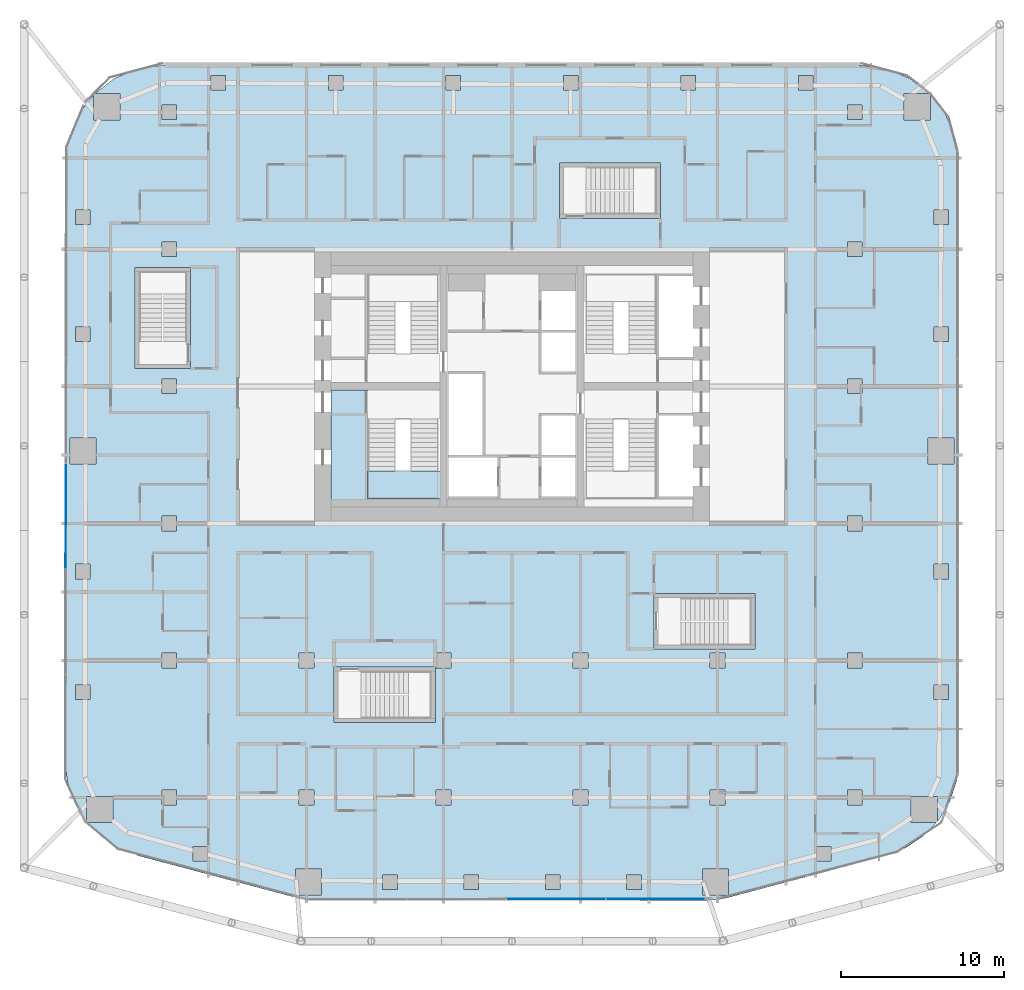
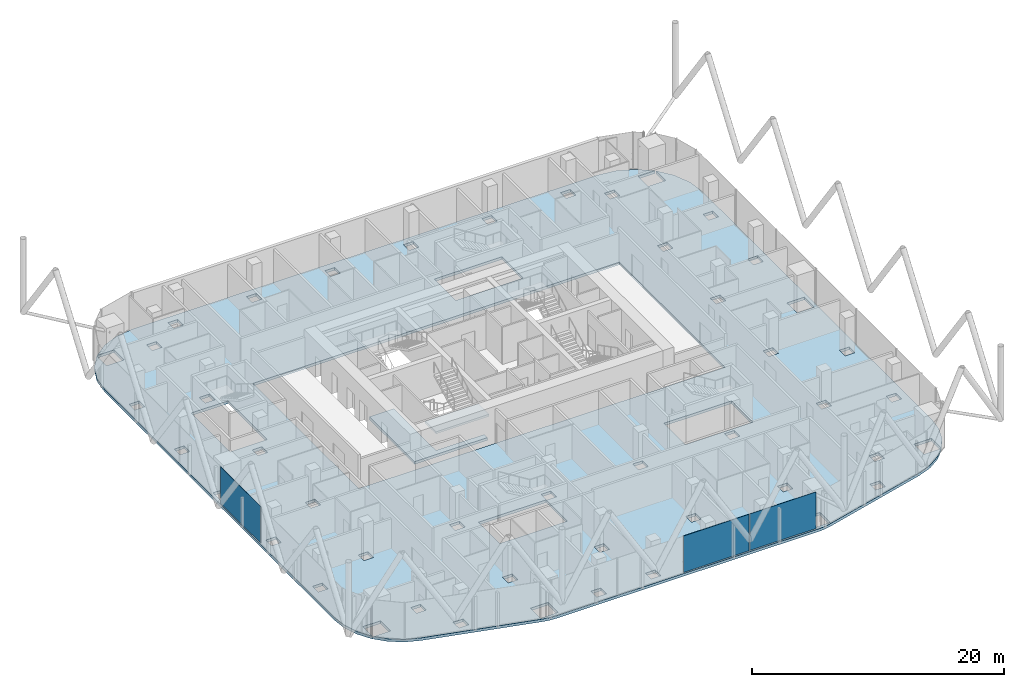
# One storey, part 19 of 33: 3 plates, 3 slabs, 3 elements without a shape of their own.
"""IFC4 building model written with IfcOpenShell, lengths in metres."""

import ifcopenshell
import ifcopenshell.guid

model = None  # the IFC model being written
_history = None  # IfcOwnerHistory: only IFC2X3 demands one
_inside = {}  # id of a spatial element -> (the spatial element, [elements in it])
_under = {}  # id of a project, library or spatial element -> (it, [spatial elements below it])
_declared = {}  # id of a project -> (the project, [libraries it declares])
_typed = {}  # id of a type object -> (the type object, [elements of that type])
_made_of = {}  # id of a material, layer set ... -> (it, [elements and type objects made of it])


def new_model(schema):
    """Start an empty IFC model of exactly this schema.

    Asked for "IFC4X3", IfcOpenShell would pick the latest addendum, in which some entities
    have other attributes; the version numbers below select the first issue.
    IFC2X3 requires an IfcOwnerHistory on every rooted entity: one is made here for all.
    """
    global model, _history
    if schema == "IFC4X3":
        model = ifcopenshell.file(schema_version=(4, 3, 0, 0))
    else:
        model = ifcopenshell.file(schema=schema)
    _inside.clear()
    _under.clear()
    _declared.clear()
    _typed.clear()
    _made_of.clear()
    _history = None
    if model.schema == "IFC2X3":
        org = make("IfcOrganization", Name="unknown")
        user = make(
            "IfcPersonAndOrganization",
            ThePerson=make("IfcPerson", FamilyName="unknown"),
            TheOrganization=org,
        )
        app = make(
            "IfcApplication",
            ApplicationDeveloper=org,
            Version="unknown",
            ApplicationFullName="unknown",
            ApplicationIdentifier="unknown",
        )
        _history = make(
            "IfcOwnerHistory",
            OwningUser=user,
            OwningApplication=app,
            ChangeAction="ADDED",
            CreationDate=0,
        )
    return model


def make(cls, **values):
    """One entity of the class cls with the attributes given. An attribute that is None is left unset."""
    return model.create_entity(
        cls, **{name: value for name, value in values.items() if value is not None}
    )


def rooted(cls, **values):
    """An entity with a GlobalId (a new one), such as an element, a storey or a relation."""
    return make(cls, GlobalId=ifcopenshell.guid.new(), OwnerHistory=_history, **values)


def si_unit(unit_type, name, prefix=None):
    """IfcSIUnit, for example si_unit("LENGTHUNIT", "METRE", prefix="MILLI")."""
    return make("IfcSIUnit", UnitType=unit_type, Prefix=prefix, Name=name)


def assignment(units):
    """IfcUnitAssignment: the units of a project."""
    return None if units is None else make("IfcUnitAssignment", Units=units)


def point(xyz):
    """IfcCartesianPoint."""
    return None if xyz is None else make("IfcCartesianPoint", Coordinates=xyz)


def direction(xyz):
    """IfcDirection."""
    return None if xyz is None else make("IfcDirection", DirectionRatios=xyz)


def frame(location, z_axis=None, x_axis=None):
    """IfcAxis2Placement3D, a coordinate frame: its origin and axes. An axis left out is left unset."""
    return make(
        "IfcAxis2Placement3D",
        Location=point(location),
        Axis=direction(z_axis),
        RefDirection=direction(x_axis),
    )


def frame_2d(location, x_axis=None):
    """IfcAxis2Placement2D, a coordinate frame in the plane: its origin and x axis."""
    return make(
        "IfcAxis2Placement2D", Location=point(location), RefDirection=direction(x_axis)
    )


def origin():
    """The frame at (0, 0, 0) with its axes left unset."""
    return frame((0.0, 0.0, 0.0))


def origin_2d():
    """The frame at (0, 0) in the plane with its x axis left unset."""
    return frame_2d((0.0, 0.0))


def place(relative_to, where):
    """IfcLocalPlacement: puts the frame where relative to a parent placement (None: the world)."""
    return make(
        "IfcLocalPlacement", PlacementRelTo=relative_to, RelativePlacement=where
    )


def context(
    kind, dimensions, precision=None, world=None, true_north=None, identifier=None
):
    """IfcGeometricRepresentationContext, for example the 3D "Model" context."""
    return make(
        "IfcGeometricRepresentationContext",
        ContextIdentifier=identifier,
        ContextType=kind,
        CoordinateSpaceDimension=dimensions,
        Precision=precision,
        WorldCoordinateSystem=world,
        TrueNorth=true_north,
    )


def subcontext(parent, identifier, kind, view, scale=None):
    """IfcGeometricRepresentationSubContext, for example "Body" below "Model"."""
    return make(
        "IfcGeometricRepresentationSubContext",
        ContextIdentifier=identifier,
        ContextType=kind,
        ParentContext=parent,
        TargetScale=scale,
        TargetView=view,
    )


def project(units=None, contexts=None):
    """IfcProject with its units and contexts."""
    return rooted(
        "IfcProject",
        Name="project",
        RepresentationContexts=contexts,
        UnitsInContext=assignment(units),
    )


def spatial(cls, under=None, at=None, **own):
    """A site, building, storey or space (cls), placed at a placement, below another one or the project."""
    s = rooted(cls, ObjectPlacement=at, **own)
    if under is not None:
        _under.setdefault(under.id(), (under, []))[1].append(s)
    return s


def polyline(points):
    """IfcPolyline through the points."""
    return make("IfcPolyline", Points=[point(p) for p in points])


def profile(cls, at=None, kind="AREA", **sizes):
    """A parametric profile (cls). Its sizes go by their IFC names, for example OverallWidth=200.0."""
    return make(cls, ProfileType=kind, Position=at, **sizes)


def rectangle(**sizes):
    """IfcRectangleProfileDef."""
    return profile("IfcRectangleProfileDef", **sizes)


def outline(outer, holes=None, kind="AREA"):
    """IfcArbitraryClosedProfileDef: a profile drawn as a closed curve; with holes, ...WithVoids."""
    if holes is None:
        return make("IfcArbitraryClosedProfileDef", ProfileType=kind, OuterCurve=outer)
    return make(
        "IfcArbitraryProfileDefWithVoids",
        ProfileType=kind,
        OuterCurve=outer,
        InnerCurves=holes,
    )


def extrude(swept, where, along, depth):
    """IfcExtrudedAreaSolid: the profile swept, set in the frame where, extruded along a direction by depth."""
    return make(
        "IfcExtrudedAreaSolid",
        SweptArea=swept,
        Position=where,
        ExtrudedDirection=direction(along),
        Depth=depth,
    )


def shape(context_of_items, identifier, shape_type, items):
    """IfcShapeRepresentation: the items that make up one representation, for example the "Body"."""
    return make(
        "IfcShapeRepresentation",
        ContextOfItems=context_of_items,
        RepresentationIdentifier=identifier,
        RepresentationType=shape_type,
        Items=items,
    )


def material(Name=None, Category=None):
    """IfcMaterial."""
    return make("IfcMaterial", Name=Name, Category=Category)


def layer(
    of_material, thickness, ventilated=None, Name=None, Category=None, Priority=None
):
    """IfcMaterialLayer: one layer of a wall or slab, of a material (None: an air gap)."""
    return make(
        "IfcMaterialLayer",
        Material=of_material,
        LayerThickness=thickness,
        IsVentilated=ventilated,
        Name=Name,
        Category=Category,
        Priority=Priority,
    )


def layer_set(layers, Name=None):
    """IfcMaterialLayerSet."""
    return make("IfcMaterialLayerSet", MaterialLayers=layers, LayerSetName=Name)


def made_of(thing, what):
    """Note that an element or type object is made of a material, layer set ...; save() writes the relation."""
    if what is not None:
        _made_of.setdefault(what.id(), (what, []))[1].append(thing)
    return thing


def type_object(cls, material=None, **own):
    """A type object (cls), such as IfcWallType, which elements share."""
    return made_of(rooted(cls, **own), material)


def element(
    cls,
    number,
    at=None,
    inside=None,
    cuts=None,
    type_object=None,
    material=None,
    context=None,
    identifier="Body",
    shape_type=None,
    held_by="IfcProductDefinitionShape",
    body=None,
    shapes=None,
    **own,
):
    """One element of the class cls, such as IfcWall. Its Tag is "e" and its number.

    at: its placement. inside: the storey or other place that contains it. cuts: it is an
    opening in that element (IfcRelVoidsElement). A single representation is given by context,
    identifier, shape_type and body (its items); several are given by shapes. held_by: the class
    of the entity that holds the representations. save() writes the other relations.
    """
    e = rooted(cls, Tag="e%d" % number, ObjectPlacement=at, **own)
    if body is not None:
        shapes = [shape(context, identifier, shape_type, body)]
    if shapes is not None:
        e.Representation = make(held_by, Representations=shapes)
    if inside is not None:
        _inside.setdefault(inside.id(), (inside, []))[1].append(e)
    if cuts is not None:
        rooted(
            "IfcRelVoidsElement", RelatingBuildingElement=cuts, RelatedOpeningElement=e
        )
    if type_object is not None:
        _typed.setdefault(type_object.id(), (type_object, []))[1].append(e)
    return made_of(e, material)


def aggregate(whole, parts):
    """IfcRelAggregates: a whole, such as a stair, and the parts it consists of."""
    return rooted("IfcRelAggregates", RelatingObject=whole, RelatedObjects=parts)


def save(model, path):
    """Write the relations noted so far, then the file.

    IfcRelAggregates (storeys below a building ...), IfcRelContainedInSpatialStructure (elements
    in a storey), IfcRelDefinesByType, IfcRelAssociatesMaterial and IfcRelDeclares: one each for
    every whole, place, type object, material and project.
    """
    for whole, parts in _under.values():
        aggregate(whole, parts)
    for where, things in _inside.values():
        rooted(
            "IfcRelContainedInSpatialStructure",
            RelatedElements=things,
            RelatingStructure=where,
        )
    for kind, things in _typed.values():
        rooted("IfcRelDefinesByType", RelatedObjects=things, RelatingType=kind)
    for what, things in _made_of.values():
        rooted("IfcRelAssociatesMaterial", RelatedObjects=things, RelatingMaterial=what)
    for by, libraries in _declared.values():
        rooted("IfcRelDeclares", RelatingContext=by, RelatedDefinitions=libraries)
    model.write(path)


model = new_model("IFC4")

# Units and contexts
model_context = context("Model", 3, precision=1e-05, world=origin(), true_north=direction((0.0, 1.0)))
body_context = subcontext(model_context, "Body", "Model", "MODEL_VIEW")
ifc_project = project(units=[si_unit("LENGTHUNIT", "METRE"), si_unit("AREAUNIT", "SQUARE_METRE"), si_unit("VOLUMEUNIT", "CUBIC_METRE"), si_unit("PLANEANGLEUNIT", "RADIAN"), si_unit("MASSUNIT", "GRAM", prefix="KILO")], contexts=[model_context])

# Site, building, storey
site_placement = place(None, origin())
site = spatial("IfcSite", under=ifc_project, at=site_placement, CompositionType="ELEMENT")
building_placement = place(site_placement, origin())
building = spatial("IfcBuilding", under=site, at=building_placement, Name="Marenta Gate Hotel Tower", CompositionType="ELEMENT")
storey_placement = place(building_placement, frame((0.0, 0.0, 122.89990234375)))
storey = spatial("IfcBuildingStorey", under=building, at=storey_placement, Name="L27", CompositionType="ELEMENT", Elevation=122.89990234375)

# Slabs
ifc_material_1 = material(Name="Concrete C35", Category="concrete")
ifc_layer_1 = layer(ifc_material_1, 0.260009765625)
ifc_layer_set_1 = layer_set([ifc_layer_1], Name="Concrete C35")
slab_type_1 = type_object("IfcSlabType", Name="Concrete floor slab 260", PredefinedType="FLOOR", material=ifc_layer_set_1)
slab_1_placement = place(storey_placement, frame((0.0, 0.0, -0.260009765625)))
element("IfcSlab", 1, at=slab_1_placement, inside=storey, type_object=slab_type_1, Name="L27-SL-1", PredefinedType="FLOOR", context=body_context, shape_type="SweptSolid", body=[
    extrude(outline(polyline([(-25.213623046875, -19.1640625), (-26.011474609375, -18.3330078125), (-24.462890625, -18.3330078125), (-24.462890625, -16.73291015625), (-26.06298828125, -16.73291015625), (-26.06298828125, -18.279296875), (-26.13525390625, -18.2041015625), (-26.826904296875, -17.06689453125), (-27.25537109375, -15.80712890625), (-27.39990234375, -14.48974609375), (-27.39990234375, 22.006591796875), (-27.193115234375, 23.5791015625), (-26.58349609375, 25.050537109375), (-25.635498046875, 26.285888671875), (-25.635498046875, 24.735595703125), (-24.035400390625, 24.735595703125), (-24.035400390625, 26.33544921875), (-25.585693359375, 26.33544921875), (-24.350341796875, 27.283447265625), (-22.87890625, 27.89306640625), (-21.306640625, 28.10009765625), (21.306640625, 28.10009765625), (22.87890625, 27.89306640625), (24.350341796875, 27.283447265625), (25.585693359375, 26.33544921875), (24.035400390625, 26.33544921875), (24.035400390625, 24.735595703125), (25.635498046875, 24.735595703125), (25.635498046875, 26.285888671875), (26.58349609375, 25.050537109375), (27.193115234375, 23.5791015625), (27.39990234375, 22.006591796875), (27.39990234375, -14.48974609375), (27.25537109375, -15.80712890625), (26.826904296875, -17.06689453125), (26.13525390625, -18.2041015625), (26.06298828125, -18.279296875), (26.06298828125, -16.73291015625), (24.462890625, -16.73291015625), (24.462890625, -18.3330078125), (26.011474609375, -18.3330078125), (25.213623046875, -19.1640625), (24.105712890625, -19.9013671875), (22.86962890625, -20.37890625), (13.126708984375, -22.963623046875), (12.608642578125, -23.065673828125), (12.08154296875, -23.10009765625), (-12.08154296875, -23.10009765625), (-12.608642578125, -23.065673828125), (-13.126708984375, -22.963623046875), (-22.86962890625, -20.37890625), (-24.105712890625, -19.9013671875), (-25.213623046875, -19.1640625)]), holes=[polyline([(-16.800048828125, 0.0), (16.800048828125, 0.0), (16.800048828125, 16.800048828125), (-16.800048828125, 16.800048828125), (-16.800048828125, 0.0)]), polyline([(-18.65673828125, -19.7890625), (-19.556884765625, -19.7890625), (-19.556884765625, -20.689208984375), (-18.65673828125, -20.689208984375), (-18.65673828125, -19.7890625)]), polyline([(-20.550048828125, -17.25), (-20.550048828125, -16.35009765625), (-21.449951171875, -16.35009765625), (-21.449951171875, -17.25), (-20.550048828125, -17.25)]), polyline([(-12.14990234375, -16.35009765625), (-13.050048828125, -16.35009765625), (-13.050048828125, -17.25), (-12.14990234375, -17.25), (-12.14990234375, -16.35009765625)]), polyline([(-25.85009765625, -10.802001953125), (-25.85009765625, -9.90185546875), (-26.75, -9.90185546875), (-26.75, -10.802001953125), (-25.85009765625, -10.802001953125)]), polyline([(-20.550048828125, -8.85009765625), (-20.550048828125, -7.949951171875), (-21.449951171875, -7.949951171875), (-21.449951171875, -8.85009765625), (-20.550048828125, -8.85009765625)]), polyline([(-25.85009765625, -2.5009765625), (-26.75, -2.5009765625), (-26.75, -3.40087890625), (-25.85009765625, -3.40087890625), (-25.85009765625, -2.5009765625)]), polyline([(-20.550048828125, -0.449951171875), (-20.550048828125, 0.449951171875), (-21.449951171875, 0.449951171875), (-21.449951171875, -0.449951171875), (-20.550048828125, -0.449951171875)]), polyline([(-25.5, 3.64990234375), (-25.5, 5.25), (-27.10009765625, 5.25), (-27.10009765625, 3.64990234375), (-25.5, 3.64990234375)]), polyline([(-20.550048828125, 8.85009765625), (-21.449951171875, 8.85009765625), (-21.449951171875, 7.949951171875), (-20.550048828125, 7.949951171875), (-20.550048828125, 8.85009765625)]), polyline([(-25.85009765625, 11.1533203125), (-25.85009765625, 12.05322265625), (-26.75, 12.05322265625), (-26.75, 11.1533203125), (-25.85009765625, 11.1533203125)]), polyline([(-20.550048828125, 16.35009765625), (-20.550048828125, 17.25), (-21.449951171875, 17.25), (-21.449951171875, 16.35009765625), (-20.550048828125, 16.35009765625)]), polyline([(-25.85009765625, 19.206298828125), (-26.75, 19.206298828125), (-26.75, 18.306396484375), (-25.85009765625, 18.306396484375), (-25.85009765625, 19.206298828125)]), polyline([(-20.550048828125, 24.75), (-20.550048828125, 25.64990234375), (-21.449951171875, 25.64990234375), (-21.449951171875, 24.75), (-20.550048828125, 24.75)]), polyline([(-17.556884765625, 27.449951171875), (-18.456787109375, 27.449951171875), (-18.456787109375, 26.550048828125), (-17.556884765625, 26.550048828125), (-17.556884765625, 27.449951171875)]), polyline([(-7.030029296875, -22.449951171875), (-7.030029296875, -21.550048828125), (-7.93017578125, -21.550048828125), (-7.93017578125, -22.449951171875), (-7.030029296875, -22.449951171875)]), polyline([(-2.04345703125, -22.449951171875), (-2.04345703125, -21.550048828125), (-2.943359375, -21.550048828125), (-2.943359375, -22.449951171875), (-2.04345703125, -22.449951171875)]), polyline([(2.943359375, -21.550048828125), (2.04345703125, -21.550048828125), (2.04345703125, -22.449951171875), (2.943359375, -22.449951171875), (2.943359375, -21.550048828125)]), polyline([(7.93017578125, -22.449951171875), (7.93017578125, -21.550048828125), (7.030029296875, -21.550048828125), (7.030029296875, -22.449951171875), (7.93017578125, -22.449951171875)]), polyline([(-11.666259765625, -22.77490234375), (-11.666259765625, -21.1748046875), (-13.266357421875, -21.1748046875), (-13.266357421875, -22.77490234375), (-11.666259765625, -22.77490234375)]), polyline([(13.266357421875, -21.1748046875), (11.666259765625, -21.1748046875), (11.666259765625, -22.77490234375), (13.266357421875, -22.77490234375), (13.266357421875, -21.1748046875)]), polyline([(-3.75, -17.25), (-3.75, -16.35009765625), (-4.64990234375, -16.35009765625), (-4.64990234375, -17.25), (-3.75, -17.25)]), polyline([(4.64990234375, -17.25), (4.64990234375, -16.35009765625), (3.75, -16.35009765625), (3.75, -17.25), (4.64990234375, -17.25)]), polyline([(13.050048828125, -16.35009765625), (12.14990234375, -16.35009765625), (12.14990234375, -17.25), (13.050048828125, -17.25), (13.050048828125, -16.35009765625)]), polyline([(-12.14990234375, -8.85009765625), (-12.14990234375, -7.949951171875), (-13.050048828125, -7.949951171875), (-13.050048828125, -8.85009765625), (-12.14990234375, -8.85009765625)]), polyline([(-3.75, -8.85009765625), (-3.75, -7.949951171875), (-4.64990234375, -7.949951171875), (-4.64990234375, -8.85009765625), (-3.75, -8.85009765625)]), polyline([(4.64990234375, -7.949951171875), (3.75, -7.949951171875), (3.75, -8.85009765625), (4.64990234375, -8.85009765625), (4.64990234375, -7.949951171875)]), polyline([(-10.35400390625, 26.550048828125), (-10.35400390625, 27.449951171875), (-11.254150390625, 27.449951171875), (-11.254150390625, 26.550048828125), (-10.35400390625, 26.550048828125)]), polyline([(-3.1513671875, 26.550048828125), (-3.1513671875, 27.449951171875), (-4.051513671875, 27.449951171875), (-4.051513671875, 26.550048828125), (-3.1513671875, 26.550048828125)]), polyline([(4.051513671875, 27.449951171875), (3.1513671875, 27.449951171875), (3.1513671875, 26.550048828125), (4.051513671875, 26.550048828125), (4.051513671875, 27.449951171875)]), polyline([(11.254150390625, 26.550048828125), (11.254150390625, 27.449951171875), (10.35400390625, 27.449951171875), (10.35400390625, 26.550048828125), (11.254150390625, 26.550048828125)]), polyline([(19.556884765625, -20.689208984375), (19.556884765625, -19.7890625), (18.65673828125, -19.7890625), (18.65673828125, -20.689208984375), (19.556884765625, -20.689208984375)]), polyline([(21.449951171875, -17.25), (21.449951171875, -16.35009765625), (20.550048828125, -16.35009765625), (20.550048828125, -17.25), (21.449951171875, -17.25)]), polyline([(26.75, -10.802001953125), (26.75, -9.90185546875), (25.85009765625, -9.90185546875), (25.85009765625, -10.802001953125), (26.75, -10.802001953125)]), polyline([(13.050048828125, -7.949951171875), (12.14990234375, -7.949951171875), (12.14990234375, -8.85009765625), (13.050048828125, -8.85009765625), (13.050048828125, -7.949951171875)]), polyline([(21.449951171875, -8.85009765625), (21.449951171875, -7.949951171875), (20.550048828125, -7.949951171875), (20.550048828125, -8.85009765625), (21.449951171875, -8.85009765625)]), polyline([(26.75, -3.40087890625), (26.75, -2.5009765625), (25.85009765625, -2.5009765625), (25.85009765625, -3.40087890625), (26.75, -3.40087890625)]), polyline([(21.449951171875, 0.449951171875), (20.550048828125, 0.449951171875), (20.550048828125, -0.449951171875), (21.449951171875, -0.449951171875), (21.449951171875, 0.449951171875)]), polyline([(27.10009765625, 3.64990234375), (27.10009765625, 5.25), (25.5, 5.25), (25.5, 3.64990234375), (27.10009765625, 3.64990234375)]), polyline([(21.449951171875, 7.949951171875), (21.449951171875, 8.85009765625), (20.550048828125, 8.85009765625), (20.550048828125, 7.949951171875), (21.449951171875, 7.949951171875)]), polyline([(26.75, 12.05322265625), (25.85009765625, 12.05322265625), (25.85009765625, 11.1533203125), (26.75, 11.1533203125), (26.75, 12.05322265625)]), polyline([(21.449951171875, 16.35009765625), (21.449951171875, 17.25), (20.550048828125, 17.25), (20.550048828125, 16.35009765625), (21.449951171875, 16.35009765625)]), polyline([(26.75, 18.306396484375), (26.75, 19.206298828125), (25.85009765625, 19.206298828125), (25.85009765625, 18.306396484375), (26.75, 18.306396484375)]), polyline([(21.449951171875, 25.64990234375), (20.550048828125, 25.64990234375), (20.550048828125, 24.75), (21.449951171875, 24.75), (21.449951171875, 25.64990234375)]), polyline([(18.456787109375, 26.550048828125), (18.456787109375, 27.449951171875), (17.556884765625, 27.449951171875), (17.556884765625, 26.550048828125), (18.456787109375, 26.550048828125)]), polyline([(-10.89990234375, -12.199951171875), (-4.699951171875, -12.199951171875), (-4.699951171875, -8.800048828125), (-10.89990234375, -8.800048828125), (-10.89990234375, -12.199951171875)]), polyline([(8.699951171875, -7.699951171875), (14.89990234375, -7.699951171875), (14.89990234375, -4.300048828125), (8.699951171875, -4.300048828125), (8.699951171875, -7.699951171875)]), polyline([(-23.10009765625, 9.5), (-19.699951171875, 9.5), (-19.699951171875, 15.699951171875), (-23.10009765625, 15.699951171875), (-23.10009765625, 9.5)]), polyline([(2.89990234375, 18.699951171875), (9.10009765625, 18.699951171875), (9.10009765625, 22.10009765625), (2.89990234375, 22.10009765625), (2.89990234375, 18.699951171875)])]), origin(), (0.0, 0.0, 1.0), 0.260009765625),
])
ifc_material_2 = material(Name="Concrete C40", Category="concrete")
ifc_layer_2 = layer(ifc_material_2, 0.260009765625)
ifc_layer_set_2 = layer_set([ifc_layer_2], Name="Concrete C40")
slab_type_2 = type_object("IfcSlabType", Name="Core floor slab 260", PredefinedType="FLOOR", material=ifc_layer_set_2)
slab_2_placement = place(storey_placement, frame((0.0, 0.0, -0.260009765625)))
element("IfcSlab", 2, at=slab_2_placement, inside=storey, type_object=slab_type_2, Name="L27-CF-5", PredefinedType="FLOOR", context=body_context, shape_type="SweptSolid", body=[
    extrude(outline(polyline([(-8.85009765625, 8.175048828125), (-8.85009765625, 8.10009765625), (-8.85009765625, 6.39990234375), (-8.85009765625, 1.5), (-4.425048828125, 1.5), (-4.425048828125, 1.0), (-11.10009765625, 1.0), (-11.10009765625, 8.175048828125), (-8.85009765625, 8.175048828125)])), origin(), (0.0, 0.0, 1.0), 0.260009765625),
])

# Stair, slab
ifc_material_3 = material(Name="Concrete C40", Category="concrete")
stair_type = type_object("IfcStairType", Name="Core exit stair 1700 wide", PredefinedType="HALF_TURN_STAIR", material=ifc_material_3)
stair_placement = place(storey_placement, origin())
stair = element("IfcStair", 3, at=stair_placement, inside=storey, type_object=stair_type, Name="Exit stair 1", PredefinedType="HALF_TURN_STAIR")
ifc_material_4 = material(Name="Concrete C40", Category="concrete")
ifc_layer_3 = layer(ifc_material_4, 0.199951171875)
ifc_layer_set_3 = layer_set([ifc_layer_3], Name="Concrete C40")
slab_type_3 = type_object("IfcSlabType", Name="Core stair landing 200", PredefinedType="LANDING", material=ifc_layer_set_3)
slab_3_placement = place(storey_placement, frame((0.0, 0.0, 1.60009765625)))
slab_3 = element("IfcSlab", 4, at=slab_3_placement, type_object=slab_type_3, Name="SL-200 ST1 landing 1", PredefinedType="LANDING", context=body_context, shape_type="SweptSolid", body=[
    extrude(outline(polyline([(-8.85009765625, 1.5), (-3.97509765625, 1.5), (-3.97509765625, 3.2099609375), (-8.85009765625, 3.2099609375), (-8.85009765625, 1.5)])), origin(), (0.0, 0.0, 1.0), 0.199951171875),
])
aggregate(stair, [slab_3])

# Curtain wall, plate
ifc_material_5 = material(Name="Tinted insulated glass in bronze anodised frame", Category="glass")
ifc_layer_4 = layer(ifc_material_5, 0.1201171875)
ifc_layer_set_4 = layer_set([ifc_layer_4], Name="Tinted insulated glass in bronze anodised frame")
curtain_wall_type = type_object("IfcCurtainWallType", Name="Tower unitised curtain wall CW1", PredefinedType="NOTDEFINED", material=ifc_layer_set_4)
curtain_wall_1_placement = place(storey_placement, origin())
curtain_wall_1 = element("IfcCurtainWall", 5, at=curtain_wall_1_placement, inside=storey, type_object=curtain_wall_type, Name="CW1 run G04", PredefinedType="NOTDEFINED")
ifc_material_6 = material(Name="Tinted insulated glass", Category="glass")
ifc_layer_5 = layer(ifc_material_6, 0.028076171875)
ifc_layer_set_5 = layer_set([ifc_layer_5], Name="Tinted insulated glass")
plate_type = type_object("IfcPlateType", Name="Glass panel CW1 28 mm tinted insulated unit", PredefinedType="CURTAIN_PANEL", material=ifc_layer_set_5)
plate_1_placement = place(storey_placement, frame((-27.34765625, 0.456298828125, 0.06005859375), z_axis=(0.0, 0.0, 1.0), x_axis=(-0.001566045546, -0.99999877375, 0.0)))
plate_1 = element("IfcPlate", 6, at=plate_1_placement, type_object=plate_type, Name="CW1 panel 4.1", PredefinedType="CURTAIN_PANEL", context=body_context, shape_type="SweptSolid", body=[
    extrude(rectangle(XDim=6.39990234375, YDim=0.028076171875, at=origin_2d()), origin(), (0.0, 0.0, 1.0), 3.5400390625),
])
aggregate(curtain_wall_1, [plate_1])

# Curtain wall, plates
curtain_wall_2_placement = place(storey_placement, origin())
curtain_wall_2 = element("IfcCurtainWall", 7, at=curtain_wall_2_placement, inside=storey, type_object=curtain_wall_type, Name="CW1 run G12", PredefinedType="NOTDEFINED")
plate_2_placement = place(storey_placement, frame((2.69873046875, -23.02685546875, 0.06005859375), z_axis=(0.0, 0.0, 1.0), x_axis=(0.999999068791, 0.00136470383, 0.0)))
plate_2 = element("IfcPlate", 8, at=plate_2_placement, type_object=plate_type, Name="CW1 panel 3.1", PredefinedType="CURTAIN_PANEL", context=body_context, shape_type="SweptSolid", body=[
    extrude(rectangle(XDim=6.02197265625, YDim=0.028076171875, at=origin_2d()), origin(), (0.0, 0.0, 1.0), 3.5400390625),
])
plate_3_placement = place(storey_placement, frame((8.795654296875, -23.018310546875, 0.06005859375), z_axis=(0.0, 0.0, 1.0), x_axis=(0.999999068791, 0.00136470383, 0.0)))
plate_3 = element("IfcPlate", 9, at=plate_3_placement, type_object=plate_type, Name="CW1 panel 4.1", PredefinedType="CURTAIN_PANEL", context=body_context, shape_type="SweptSolid", body=[
    extrude(rectangle(XDim=6.052001953125, YDim=0.028076171875, at=origin_2d()), origin(), (0.0, 0.0, 1.0), 3.5400390625),
])
aggregate(curtain_wall_2, [plate_2, plate_3])

save(model, "model.ifc")
